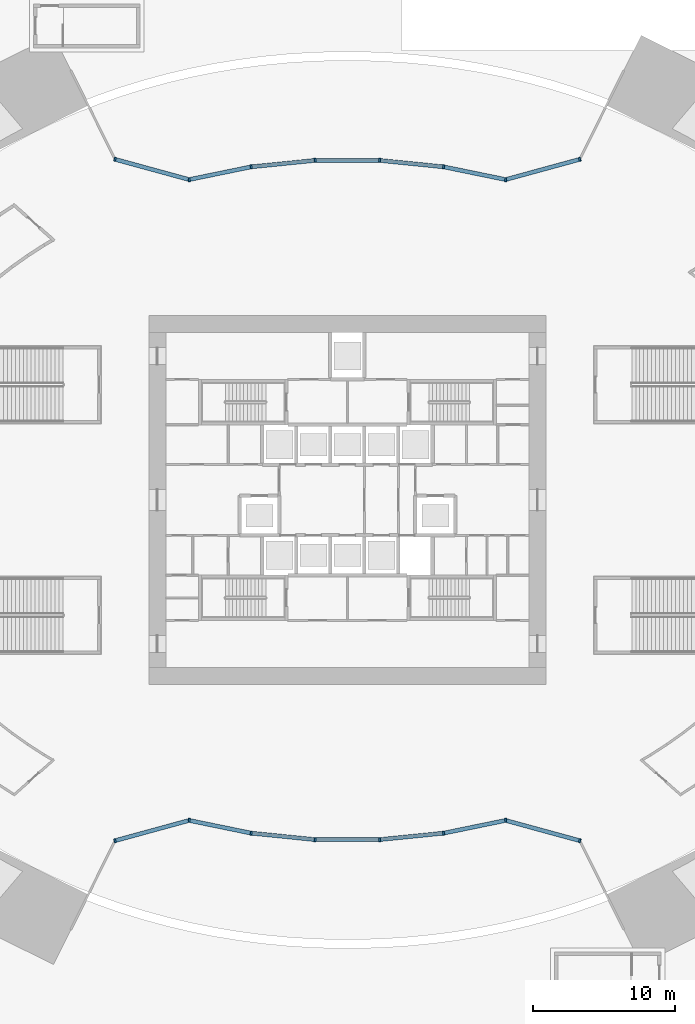
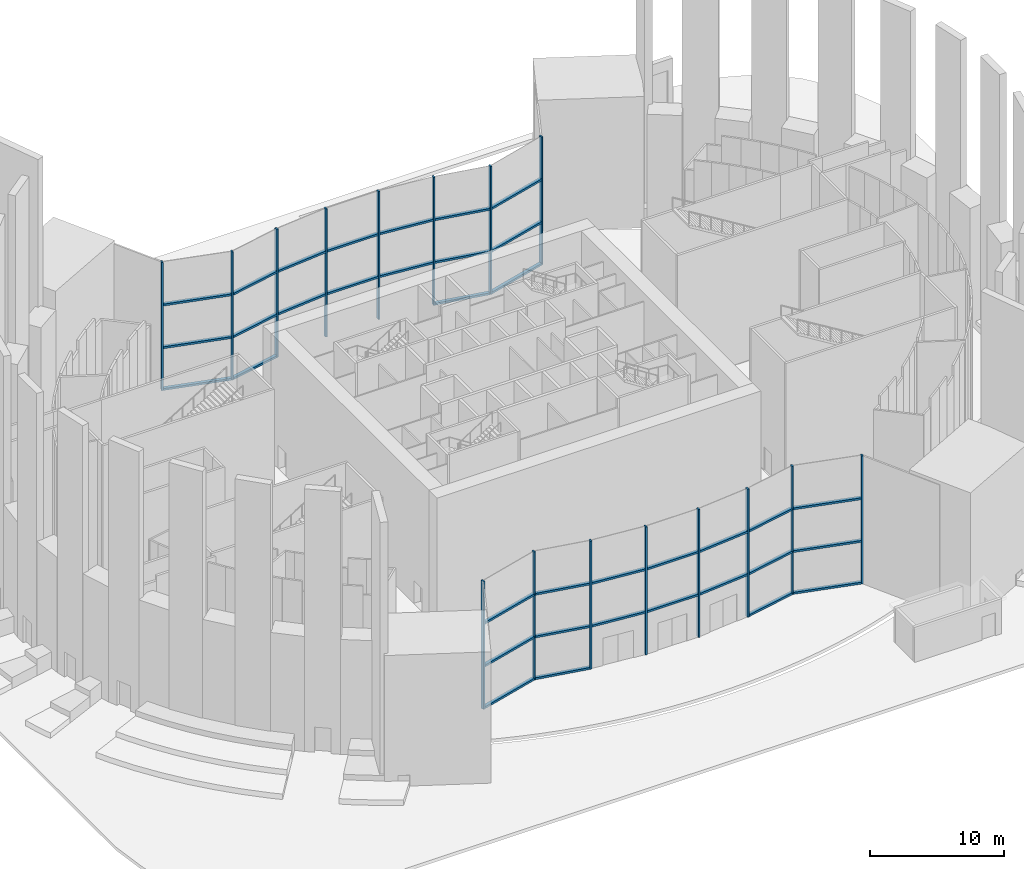
# One storey, part 2 of 25: 52 members, 2 elements without a shape of their own.
"""IFC4 building model written with IfcOpenShell, lengths in metres."""

from ifc_helpers import new_model, si_unit, direction, frame, origin, origin_2d, place, context, subcontext, project, spatial, rectangle, extrude, source, transform, mapped, material, material_profile, profile_set, type_object, element, aggregate, save


model = new_model("IFC4")

# Units and contexts
model_context = context("Model", 3, precision=1e-05, world=origin(), true_north=direction((0.0, 1.0)))
body_context = subcontext(model_context, "Body", "Model", "MODEL_VIEW")
ifc_project = project(units=[si_unit("LENGTHUNIT", "METRE"), si_unit("AREAUNIT", "SQUARE_METRE"), si_unit("VOLUMEUNIT", "CUBIC_METRE"), si_unit("PLANEANGLEUNIT", "RADIAN"), si_unit("MASSUNIT", "GRAM", prefix="KILO")], contexts=[model_context])

# Site, building, storey
site_placement = place(None, origin())
site = spatial("IfcSite", under=ifc_project, at=site_placement, CompositionType="ELEMENT")
building_placement = place(site_placement, origin())
building = spatial("IfcBuilding", under=site, at=building_placement, Name="Embergate Tower", CompositionType="ELEMENT")
storey_placement = place(building_placement, origin())
storey = spatial("IfcBuildingStorey", under=building, at=storey_placement, Name="L00", CompositionType="ELEMENT", Elevation=0.0)

# Curtain wall, members
ifc_material_1 = material(Name="Aluminium and glass", Category="aluminium")
curtain_wall_type = type_object("IfcCurtainWallType", Name="Portal infill glazing", PredefinedType="NOTDEFINED", material=ifc_material_1)
curtain_wall_1_placement = place(storey_placement, origin())
curtain_wall_1 = element("IfcCurtainWall", 1, at=curtain_wall_1_placement, inside=storey, type_object=curtain_wall_type, Name="Portal infill glazing N porch", ObjectType="PORTAL INFILL GLAZING", PredefinedType="USERDEFINED")
ifc_material_2 = material(Name="Aluminium, thermally broken", Category="aluminium")
ifc_material_profile_1 = material_profile(ifc_material_2, rectangle(XDim=0.280029296875, YDim=0.139892578125, at=origin_2d()), Name="AL 140x280")
ifc_profile_set_1 = profile_set([ifc_material_profile_1], Name="Aluminium, thermally broken")
member_type_1 = type_object("IfcMemberType", Name="Portal mullion", PredefinedType="MULLION", material=ifc_profile_set_1)
shared_shape_1 = source(origin(), body_context, "Body", "SweptSolid", [
    extrude(rectangle(XDim=0.280029296875, YDim=0.139892578125, at=origin_2d()), origin(), (0.0, 0.0, 1.0), 11.699951171875),
])
member_1_placement = place(storey_placement, frame((16.382080078125, 24.018310546875, 0.0), z_axis=(0.0, 0.0, 1.0), x_axis=(0.263692914045, -0.96460667999, 0.0)))
member_1 = element("IfcMember", 2, at=member_1_placement, type_object=member_type_1, Name="CW mullion 1", PredefinedType="MULLION", context=body_context, shape_type="MappedRepresentation", body=[
    mapped(shared_shape_1, transform((0.0, 0.0, 0.0))),
])
member_2_placement = place(storey_placement, frame((11.156005859375, 22.589599609375, 0.0), z_axis=(0.0, 0.0, 1.0), x_axis=(0.055197640519, -0.998475448111, 0.0)))
member_2 = element("IfcMember", 3, at=member_2_placement, type_object=member_type_1, Name="CW mullion 2", PredefinedType="MULLION", context=body_context, shape_type="MappedRepresentation", body=[
    mapped(shared_shape_1, transform((0.0, 0.0, 0.0))),
])
member_3_placement = place(storey_placement, frame((6.784912109375, 23.48779296875, 0.0), z_axis=(0.0, 0.0, 1.0), x_axis=(-0.15066730795, -0.988584524618, 0.0)))
member_3 = element("IfcMember", 4, at=member_3_placement, type_object=member_type_1, Name="CW mullion 3", PredefinedType="MULLION", context=body_context, shape_type="MappedRepresentation", body=[
    mapped(shared_shape_1, transform((0.0, 0.0, 0.0))),
])
member_4_placement = place(storey_placement, frame((2.277099609375, 23.94287109375, 0.0), z_axis=(0.0, 0.0, 1.0), x_axis=(-0.050160648012, -0.998741162359, 0.0)))
member_4 = element("IfcMember", 5, at=member_4_placement, type_object=member_type_1, Name="CW mullion 4", PredefinedType="MULLION", context=body_context, shape_type="MappedRepresentation", body=[
    mapped(shared_shape_1, transform((0.0, 0.0, 0.0))),
])
member_5_placement = place(storey_placement, frame((-2.277099609375, 23.94287109375, 0.0), z_axis=(0.0, 0.0, 1.0), x_axis=(0.050160648012, -0.998741162359, 0.0)))
member_5 = element("IfcMember", 6, at=member_5_placement, type_object=member_type_1, Name="CW mullion 5", PredefinedType="MULLION", context=body_context, shape_type="MappedRepresentation", body=[
    mapped(shared_shape_1, transform((0.0, 0.0, 0.0))),
])
member_6_placement = place(storey_placement, frame((-6.784912109375, 23.48779296875, 0.0), z_axis=(0.0, 0.0, 1.0), x_axis=(0.15066730795, -0.988584524618, 0.0)))
member_6 = element("IfcMember", 7, at=member_6_placement, type_object=member_type_1, Name="CW mullion 6", PredefinedType="MULLION", context=body_context, shape_type="MappedRepresentation", body=[
    mapped(shared_shape_1, transform((0.0, 0.0, 0.0))),
])
member_7_placement = place(storey_placement, frame((-11.156005859375, 22.589599609375, 0.0), z_axis=(0.0, 0.0, 1.0), x_axis=(-0.055197640519, -0.998475448111, 0.0)))
member_7 = element("IfcMember", 8, at=member_7_placement, type_object=member_type_1, Name="CW mullion 7", PredefinedType="MULLION", context=body_context, shape_type="MappedRepresentation", body=[
    mapped(shared_shape_1, transform((0.0, 0.0, 0.0))),
])
member_8_placement = place(storey_placement, frame((-16.382080078125, 24.018310546875, 0.0), z_axis=(0.0, 0.0, 1.0), x_axis=(-0.263692914045, -0.96460667999, 0.0)))
member_8 = element("IfcMember", 9, at=member_8_placement, type_object=member_type_1, Name="CW mullion 8", PredefinedType="MULLION", context=body_context, shape_type="MappedRepresentation", body=[
    mapped(shared_shape_1, transform((0.0, 0.0, 0.0))),
])

curtain_wall_2_placement = place(storey_placement, origin())
curtain_wall_2 = element("IfcCurtainWall", 10, at=curtain_wall_2_placement, inside=storey, type_object=curtain_wall_type, Name="Portal infill glazing S porch", ObjectType="PORTAL INFILL GLAZING", PredefinedType="USERDEFINED")
member_9_placement = place(storey_placement, frame((-16.382080078125, -24.018310546875, 0.0), z_axis=(0.0, 0.0, 1.0), x_axis=(-0.263692914045, 0.96460667999, 0.0)))
member_9 = element("IfcMember", 11, at=member_9_placement, type_object=member_type_1, Name="CW mullion 1", PredefinedType="MULLION", context=body_context, shape_type="MappedRepresentation", body=[
    mapped(shared_shape_1, transform((0.0, 0.0, 0.0))),
])
member_10_placement = place(storey_placement, frame((-11.156005859375, -22.589599609375, 0.0), z_axis=(0.0, 0.0, 1.0), x_axis=(-0.055197640519, 0.998475448111, 0.0)))
member_10 = element("IfcMember", 12, at=member_10_placement, type_object=member_type_1, Name="CW mullion 2", PredefinedType="MULLION", context=body_context, shape_type="MappedRepresentation", body=[
    mapped(shared_shape_1, transform((0.0, 0.0, 0.0))),
])
member_11_placement = place(storey_placement, frame((-6.784912109375, -23.48779296875, 0.0), z_axis=(0.0, 0.0, 1.0), x_axis=(0.15066730795, 0.988584524618, 0.0)))
member_11 = element("IfcMember", 13, at=member_11_placement, type_object=member_type_1, Name="CW mullion 3", PredefinedType="MULLION", context=body_context, shape_type="MappedRepresentation", body=[
    mapped(shared_shape_1, transform((0.0, 0.0, 0.0))),
])
member_12_placement = place(storey_placement, frame((-2.277099609375, -23.94287109375, 0.0), z_axis=(0.0, 0.0, 1.0), x_axis=(0.050160648012, 0.998741162359, 0.0)))
member_12 = element("IfcMember", 14, at=member_12_placement, type_object=member_type_1, Name="CW mullion 4", PredefinedType="MULLION", context=body_context, shape_type="MappedRepresentation", body=[
    mapped(shared_shape_1, transform((0.0, 0.0, 0.0))),
])
member_13_placement = place(storey_placement, frame((2.277099609375, -23.94287109375, 0.0), z_axis=(0.0, 0.0, 1.0), x_axis=(-0.050160648012, 0.998741162359, 0.0)))
member_13 = element("IfcMember", 15, at=member_13_placement, type_object=member_type_1, Name="CW mullion 5", PredefinedType="MULLION", context=body_context, shape_type="MappedRepresentation", body=[
    mapped(shared_shape_1, transform((0.0, 0.0, 0.0))),
])
member_14_placement = place(storey_placement, frame((6.784912109375, -23.48779296875, 0.0), z_axis=(0.0, 0.0, 1.0), x_axis=(-0.15066730795, 0.988584524618, 0.0)))
member_14 = element("IfcMember", 16, at=member_14_placement, type_object=member_type_1, Name="CW mullion 6", PredefinedType="MULLION", context=body_context, shape_type="MappedRepresentation", body=[
    mapped(shared_shape_1, transform((0.0, 0.0, 0.0))),
])
member_15_placement = place(storey_placement, frame((11.156005859375, -22.589599609375, 0.0), z_axis=(0.0, 0.0, 1.0), x_axis=(0.055197640519, 0.998475448111, 0.0)))
member_15 = element("IfcMember", 17, at=member_15_placement, type_object=member_type_1, Name="CW mullion 7", PredefinedType="MULLION", context=body_context, shape_type="MappedRepresentation", body=[
    mapped(shared_shape_1, transform((0.0, 0.0, 0.0))),
])
member_16_placement = place(storey_placement, frame((16.382080078125, -24.018310546875, 0.0), z_axis=(0.0, 0.0, 1.0), x_axis=(0.263692914045, 0.96460667999, 0.0)))
member_16 = element("IfcMember", 18, at=member_16_placement, type_object=member_type_1, Name="CW mullion 8", PredefinedType="MULLION", context=body_context, shape_type="MappedRepresentation", body=[
    mapped(shared_shape_1, transform((0.0, 0.0, 0.0))),
])

# Member
ifc_material_profile_2 = material_profile(ifc_material_2, rectangle(XDim=0.280029296875, YDim=0.179931640625, at=origin_2d()), Name="AL 180x280")
ifc_profile_set_2 = profile_set([ifc_material_profile_2], Name="Aluminium, thermally broken")
member_type_2 = type_object("IfcMemberType", Name="Portal transom", PredefinedType="USERDEFINED", material=ifc_profile_set_2)
shared_shape_2 = source(origin(), body_context, "Body", "SweptSolid", [
    extrude(rectangle(XDim=0.280029296875, YDim=0.179931640625, at=origin_2d()), origin(), (0.0, 0.0, 1.0), 5.27783203125),
])
member_17_placement = place(storey_placement, frame((16.314697265625, 23.999755859375, 0.090087890625), z_axis=(-0.964613147737, -0.263669253446, 0.0), x_axis=(0.263669253446, -0.964613147737, 0.0)))
member_17 = element("IfcMember", 19, at=member_17_placement, type_object=member_type_2, Name="CW transom 1.1", ObjectType="TRANSOM", PredefinedType="USERDEFINED", context=body_context, shape_type="MappedRepresentation", body=[
    mapped(shared_shape_2, transform((0.0, 0.0, 0.0))),
])

member_18_placement = place(storey_placement, frame((16.314697265625, 23.999755859375, 3.89990234375), z_axis=(-0.964613147737, -0.263669253446, 0.0), x_axis=(0.263669253446, -0.964613147737, 0.0)))
member_18 = element("IfcMember", 20, at=member_18_placement, type_object=member_type_2, Name="CW transom 1.2", ObjectType="TRANSOM", PredefinedType="USERDEFINED", context=body_context, shape_type="MappedRepresentation", body=[
    mapped(shared_shape_2, transform((0.0, 0.0, 0.0))),
])

member_19_placement = place(storey_placement, frame((16.314697265625, 23.999755859375, 7.800048828125), z_axis=(-0.964613147737, -0.263669253446, 0.0), x_axis=(0.263669253446, -0.964613147737, 0.0)))
member_19 = element("IfcMember", 21, at=member_19_placement, type_object=member_type_2, Name="CW transom 1.3", ObjectType="TRANSOM", PredefinedType="USERDEFINED", context=body_context, shape_type="MappedRepresentation", body=[
    mapped(shared_shape_2, transform((0.0, 0.0, 0.0))),
])

member_20_placement = place(storey_placement, frame((-11.2236328125, 22.608154296875, 0.090087890625), z_axis=(-0.964613147737, 0.263669253446, 0.0), x_axis=(-0.263669253446, -0.964613147737, 0.0)))
member_20 = element("IfcMember", 22, at=member_20_placement, type_object=member_type_2, Name="CW transom 7.1", ObjectType="TRANSOM", PredefinedType="USERDEFINED", context=body_context, shape_type="MappedRepresentation", body=[
    mapped(shared_shape_2, transform((0.0, 0.0, 0.0))),
])

member_21_placement = place(storey_placement, frame((-11.2236328125, 22.608154296875, 3.89990234375), z_axis=(-0.964613147737, 0.263669253446, 0.0), x_axis=(-0.263669253446, -0.964613147737, 0.0)))
member_21 = element("IfcMember", 23, at=member_21_placement, type_object=member_type_2, Name="CW transom 7.2", ObjectType="TRANSOM", PredefinedType="USERDEFINED", context=body_context, shape_type="MappedRepresentation", body=[
    mapped(shared_shape_2, transform((0.0, 0.0, 0.0))),
])

member_22_placement = place(storey_placement, frame((-11.2236328125, 22.608154296875, 7.800048828125), z_axis=(-0.964613147737, 0.263669253446, 0.0), x_axis=(-0.263669253446, -0.964613147737, 0.0)))
member_22 = element("IfcMember", 24, at=member_22_placement, type_object=member_type_2, Name="CW transom 7.3", ObjectType="TRANSOM", PredefinedType="USERDEFINED", context=body_context, shape_type="MappedRepresentation", body=[
    mapped(shared_shape_2, transform((0.0, 0.0, 0.0))),
])

member_23_placement = place(storey_placement, frame((-16.314697265625, -23.999755859375, 0.090087890625), z_axis=(0.964613147737, 0.263669253446, 0.0), x_axis=(-0.263669253446, 0.964613147737, 0.0)))
member_23 = element("IfcMember", 25, at=member_23_placement, type_object=member_type_2, Name="CW transom 1.1", ObjectType="TRANSOM", PredefinedType="USERDEFINED", context=body_context, shape_type="MappedRepresentation", body=[
    mapped(shared_shape_2, transform((0.0, 0.0, 0.0))),
])

member_24_placement = place(storey_placement, frame((-16.314697265625, -23.999755859375, 3.89990234375), z_axis=(0.964613147737, 0.263669253446, 0.0), x_axis=(-0.263669253446, 0.964613147737, 0.0)))
member_24 = element("IfcMember", 26, at=member_24_placement, type_object=member_type_2, Name="CW transom 1.2", ObjectType="TRANSOM", PredefinedType="USERDEFINED", context=body_context, shape_type="MappedRepresentation", body=[
    mapped(shared_shape_2, transform((0.0, 0.0, 0.0))),
])

member_25_placement = place(storey_placement, frame((-16.314697265625, -23.999755859375, 7.800048828125), z_axis=(0.964613147737, 0.263669253446, 0.0), x_axis=(-0.263669253446, 0.964613147737, 0.0)))
member_25 = element("IfcMember", 27, at=member_25_placement, type_object=member_type_2, Name="CW transom 1.3", ObjectType="TRANSOM", PredefinedType="USERDEFINED", context=body_context, shape_type="MappedRepresentation", body=[
    mapped(shared_shape_2, transform((0.0, 0.0, 0.0))),
])

member_26_placement = place(storey_placement, frame((11.2236328125, -22.608154296875, 0.090087890625), z_axis=(0.964613147737, -0.263669253446, 0.0), x_axis=(0.263669253446, 0.964613147737, 0.0)))
member_26 = element("IfcMember", 28, at=member_26_placement, type_object=member_type_2, Name="CW transom 7.1", ObjectType="TRANSOM", PredefinedType="USERDEFINED", context=body_context, shape_type="MappedRepresentation", body=[
    mapped(shared_shape_2, transform((0.0, 0.0, 0.0))),
])

member_27_placement = place(storey_placement, frame((11.2236328125, -22.608154296875, 3.89990234375), z_axis=(0.964613147737, -0.263669253446, 0.0), x_axis=(0.263669253446, 0.964613147737, 0.0)))
member_27 = element("IfcMember", 29, at=member_27_placement, type_object=member_type_2, Name="CW transom 7.2", ObjectType="TRANSOM", PredefinedType="USERDEFINED", context=body_context, shape_type="MappedRepresentation", body=[
    mapped(shared_shape_2, transform((0.0, 0.0, 0.0))),
])

member_28_placement = place(storey_placement, frame((11.2236328125, -22.608154296875, 7.800048828125), z_axis=(0.964613147737, -0.263669253446, 0.0), x_axis=(0.263669253446, 0.964613147737, 0.0)))
member_28 = element("IfcMember", 30, at=member_28_placement, type_object=member_type_2, Name="CW transom 7.3", ObjectType="TRANSOM", PredefinedType="USERDEFINED", context=body_context, shape_type="MappedRepresentation", body=[
    mapped(shared_shape_2, transform((0.0, 0.0, 0.0))),
])

shared_shape_3 = source(origin(), body_context, "Body", "SweptSolid", [
    extrude(rectangle(XDim=0.280029296875, YDim=0.179931640625, at=origin_2d()), origin(), (0.0, 0.0, 1.0), 4.322265625),
])
member_29_placement = place(storey_placement, frame((11.08740234375, 22.603759765625, 0.090087890625), z_axis=(-0.97953964737, 0.201251283795, 0.0), x_axis=(-0.201251283795, -0.97953964737, 0.0)))
member_29 = element("IfcMember", 31, at=member_29_placement, type_object=member_type_2, Name="CW transom 2.1", ObjectType="TRANSOM", PredefinedType="USERDEFINED", context=body_context, shape_type="MappedRepresentation", body=[
    mapped(shared_shape_3, transform((0.0, 0.0, 0.0))),
])

member_30_placement = place(storey_placement, frame((11.08740234375, 22.603759765625, 3.89990234375), z_axis=(-0.97953964737, 0.201251283795, 0.0), x_axis=(-0.201251283795, -0.97953964737, 0.0)))
member_30 = element("IfcMember", 32, at=member_30_placement, type_object=member_type_2, Name="CW transom 2.2", ObjectType="TRANSOM", PredefinedType="USERDEFINED", context=body_context, shape_type="MappedRepresentation", body=[
    mapped(shared_shape_3, transform((0.0, 0.0, 0.0))),
])

member_31_placement = place(storey_placement, frame((11.08740234375, 22.603759765625, 7.800048828125), z_axis=(-0.97953964737, 0.201251283795, 0.0), x_axis=(-0.201251283795, -0.97953964737, 0.0)))
member_31 = element("IfcMember", 33, at=member_31_placement, type_object=member_type_2, Name="CW transom 2.3", ObjectType="TRANSOM", PredefinedType="USERDEFINED", context=body_context, shape_type="MappedRepresentation", body=[
    mapped(shared_shape_3, transform((0.0, 0.0, 0.0))),
])

member_32_placement = place(storey_placement, frame((-6.853515625, 23.4736328125, 0.090087890625), z_axis=(-0.97953964737, -0.201251283795, 0.0), x_axis=(0.201251283795, -0.97953964737, 0.0)))
member_32 = element("IfcMember", 34, at=member_32_placement, type_object=member_type_2, Name="CW transom 6.1", ObjectType="TRANSOM", PredefinedType="USERDEFINED", context=body_context, shape_type="MappedRepresentation", body=[
    mapped(shared_shape_3, transform((0.0, 0.0, 0.0))),
])

member_33_placement = place(storey_placement, frame((-6.853515625, 23.4736328125, 3.89990234375), z_axis=(-0.97953964737, -0.201251283795, 0.0), x_axis=(0.201251283795, -0.97953964737, 0.0)))
member_33 = element("IfcMember", 35, at=member_33_placement, type_object=member_type_2, Name="CW transom 6.2", ObjectType="TRANSOM", PredefinedType="USERDEFINED", context=body_context, shape_type="MappedRepresentation", body=[
    mapped(shared_shape_3, transform((0.0, 0.0, 0.0))),
])

member_34_placement = place(storey_placement, frame((-6.853515625, 23.4736328125, 7.800048828125), z_axis=(-0.97953964737, -0.201251283795, 0.0), x_axis=(0.201251283795, -0.97953964737, 0.0)))
member_34 = element("IfcMember", 36, at=member_34_placement, type_object=member_type_2, Name="CW transom 6.3", ObjectType="TRANSOM", PredefinedType="USERDEFINED", context=body_context, shape_type="MappedRepresentation", body=[
    mapped(shared_shape_3, transform((0.0, 0.0, 0.0))),
])

member_35_placement = place(storey_placement, frame((-11.08740234375, -22.603759765625, 0.090087890625), z_axis=(0.97953964737, -0.201251283795, 0.0), x_axis=(0.201251283795, 0.97953964737, 0.0)))
member_35 = element("IfcMember", 37, at=member_35_placement, type_object=member_type_2, Name="CW transom 2.1", ObjectType="TRANSOM", PredefinedType="USERDEFINED", context=body_context, shape_type="MappedRepresentation", body=[
    mapped(shared_shape_3, transform((0.0, 0.0, 0.0))),
])

member_36_placement = place(storey_placement, frame((-11.08740234375, -22.603759765625, 3.89990234375), z_axis=(0.97953964737, -0.201251283795, 0.0), x_axis=(0.201251283795, 0.97953964737, 0.0)))
member_36 = element("IfcMember", 38, at=member_36_placement, type_object=member_type_2, Name="CW transom 2.2", ObjectType="TRANSOM", PredefinedType="USERDEFINED", context=body_context, shape_type="MappedRepresentation", body=[
    mapped(shared_shape_3, transform((0.0, 0.0, 0.0))),
])

member_37_placement = place(storey_placement, frame((-11.08740234375, -22.603759765625, 7.800048828125), z_axis=(0.97953964737, -0.201251283795, 0.0), x_axis=(0.201251283795, 0.97953964737, 0.0)))
member_37 = element("IfcMember", 39, at=member_37_placement, type_object=member_type_2, Name="CW transom 2.3", ObjectType="TRANSOM", PredefinedType="USERDEFINED", context=body_context, shape_type="MappedRepresentation", body=[
    mapped(shared_shape_3, transform((0.0, 0.0, 0.0))),
])

member_38_placement = place(storey_placement, frame((6.853515625, -23.4736328125, 0.090087890625), z_axis=(0.97953964737, 0.201251283795, 0.0), x_axis=(-0.201251283795, 0.97953964737, 0.0)))
member_38 = element("IfcMember", 40, at=member_38_placement, type_object=member_type_2, Name="CW transom 6.1", ObjectType="TRANSOM", PredefinedType="USERDEFINED", context=body_context, shape_type="MappedRepresentation", body=[
    mapped(shared_shape_3, transform((0.0, 0.0, 0.0))),
])

member_39_placement = place(storey_placement, frame((6.853515625, -23.4736328125, 3.89990234375), z_axis=(0.97953964737, 0.201251283795, 0.0), x_axis=(-0.201251283795, 0.97953964737, 0.0)))
member_39 = element("IfcMember", 41, at=member_39_placement, type_object=member_type_2, Name="CW transom 6.2", ObjectType="TRANSOM", PredefinedType="USERDEFINED", context=body_context, shape_type="MappedRepresentation", body=[
    mapped(shared_shape_3, transform((0.0, 0.0, 0.0))),
])

member_40_placement = place(storey_placement, frame((6.853515625, -23.4736328125, 7.800048828125), z_axis=(0.97953964737, 0.201251283795, 0.0), x_axis=(-0.201251283795, 0.97953964737, 0.0)))
member_40 = element("IfcMember", 42, at=member_40_placement, type_object=member_type_2, Name="CW transom 6.3", ObjectType="TRANSOM", PredefinedType="USERDEFINED", context=body_context, shape_type="MappedRepresentation", body=[
    mapped(shared_shape_3, transform((0.0, 0.0, 0.0))),
])

shared_shape_4 = source(origin(), body_context, "Body", "SweptSolid", [
    extrude(rectangle(XDim=0.280029296875, YDim=0.179931640625, at=origin_2d()), origin(), (0.0, 0.0, 1.0), 4.390869140625),
])
member_41_placement = place(storey_placement, frame((6.71533203125, 23.49462890625, 3.89990234375), z_axis=(-0.994939828097, 0.100472575689, 0.0), x_axis=(-0.100472575689, -0.994939828097, 0.0)))
member_41 = element("IfcMember", 43, at=member_41_placement, type_object=member_type_2, Name="CW transom 3.2", ObjectType="TRANSOM", PredefinedType="USERDEFINED", context=body_context, shape_type="MappedRepresentation", body=[
    mapped(shared_shape_4, transform((0.0, 0.0, 0.0))),
])

member_42_placement = place(storey_placement, frame((6.71533203125, 23.49462890625, 7.800048828125), z_axis=(-0.994939828097, 0.100472575689, 0.0), x_axis=(-0.100472575689, -0.994939828097, 0.0)))
member_42 = element("IfcMember", 44, at=member_42_placement, type_object=member_type_2, Name="CW transom 3.3", ObjectType="TRANSOM", PredefinedType="USERDEFINED", context=body_context, shape_type="MappedRepresentation", body=[
    mapped(shared_shape_4, transform((0.0, 0.0, 0.0))),
])

member_43_placement = place(storey_placement, frame((-2.3466796875, 23.935791015625, 3.89990234375), z_axis=(-0.994939828097, -0.100472575689, 0.0), x_axis=(0.100472575689, -0.994939828097, 0.0)))
member_43 = element("IfcMember", 45, at=member_43_placement, type_object=member_type_2, Name="CW transom 5.2", ObjectType="TRANSOM", PredefinedType="USERDEFINED", context=body_context, shape_type="MappedRepresentation", body=[
    mapped(shared_shape_4, transform((0.0, 0.0, 0.0))),
])

member_44_placement = place(storey_placement, frame((-2.3466796875, 23.935791015625, 7.800048828125), z_axis=(-0.994939828097, -0.100472575689, 0.0), x_axis=(0.100472575689, -0.994939828097, 0.0)))
member_44 = element("IfcMember", 46, at=member_44_placement, type_object=member_type_2, Name="CW transom 5.3", ObjectType="TRANSOM", PredefinedType="USERDEFINED", context=body_context, shape_type="MappedRepresentation", body=[
    mapped(shared_shape_4, transform((0.0, 0.0, 0.0))),
])

member_45_placement = place(storey_placement, frame((-6.71533203125, -23.49462890625, 3.89990234375), z_axis=(0.994939828097, -0.100472575689, 0.0), x_axis=(0.100472575689, 0.994939828097, 0.0)))
member_45 = element("IfcMember", 47, at=member_45_placement, type_object=member_type_2, Name="CW transom 3.2", ObjectType="TRANSOM", PredefinedType="USERDEFINED", context=body_context, shape_type="MappedRepresentation", body=[
    mapped(shared_shape_4, transform((0.0, 0.0, 0.0))),
])

member_46_placement = place(storey_placement, frame((-6.71533203125, -23.49462890625, 7.800048828125), z_axis=(0.994939828097, -0.100472575689, 0.0), x_axis=(0.100472575689, 0.994939828097, 0.0)))
member_46 = element("IfcMember", 48, at=member_46_placement, type_object=member_type_2, Name="CW transom 3.3", ObjectType="TRANSOM", PredefinedType="USERDEFINED", context=body_context, shape_type="MappedRepresentation", body=[
    mapped(shared_shape_4, transform((0.0, 0.0, 0.0))),
])

member_47_placement = place(storey_placement, frame((2.3466796875, -23.935791015625, 3.89990234375), z_axis=(0.994939828097, 0.100472575689, 0.0), x_axis=(-0.100472575689, 0.994939828097, 0.0)))
member_47 = element("IfcMember", 49, at=member_47_placement, type_object=member_type_2, Name="CW transom 5.2", ObjectType="TRANSOM", PredefinedType="USERDEFINED", context=body_context, shape_type="MappedRepresentation", body=[
    mapped(shared_shape_4, transform((0.0, 0.0, 0.0))),
])

member_48_placement = place(storey_placement, frame((2.3466796875, -23.935791015625, 7.800048828125), z_axis=(0.994939828097, 0.100472575689, 0.0), x_axis=(-0.100472575689, 0.994939828097, 0.0)))
member_48 = element("IfcMember", 50, at=member_48_placement, type_object=member_type_2, Name="CW transom 5.3", ObjectType="TRANSOM", PredefinedType="USERDEFINED", context=body_context, shape_type="MappedRepresentation", body=[
    mapped(shared_shape_4, transform((0.0, 0.0, 0.0))),
])

shared_shape_5 = source(origin(), body_context, "Body", "SweptSolid", [
    extrude(rectangle(XDim=0.280029296875, YDim=0.179931640625, at=origin_2d()), origin(), (0.0, 0.0, 1.0), 4.4140625),
])
member_49_placement = place(storey_placement, frame((2.20703125, 23.94287109375, 3.89990234375), z_axis=(-1.0, 0.0, 0.0), x_axis=(0.0, -1.0, 0.0)))
member_49 = element("IfcMember", 51, at=member_49_placement, type_object=member_type_2, Name="CW transom 4.2", ObjectType="TRANSOM", PredefinedType="USERDEFINED", context=body_context, shape_type="MappedRepresentation", body=[
    mapped(shared_shape_5, transform((0.0, 0.0, 0.0))),
])

member_50_placement = place(storey_placement, frame((2.20703125, 23.94287109375, 7.800048828125), z_axis=(-1.0, 0.0, 0.0), x_axis=(0.0, -1.0, 0.0)))
member_50 = element("IfcMember", 52, at=member_50_placement, type_object=member_type_2, Name="CW transom 4.3", ObjectType="TRANSOM", PredefinedType="USERDEFINED", context=body_context, shape_type="MappedRepresentation", body=[
    mapped(shared_shape_5, transform((0.0, 0.0, 0.0))),
])

aggregate(curtain_wall_1, [member_1, member_2, member_3, member_4, member_5, member_6, member_7, member_8, member_17, member_18, member_19, member_29, member_30, member_31, member_41, member_42, member_49, member_50, member_43, member_44, member_32, member_33, member_34, member_20, member_21, member_22])

member_51_placement = place(storey_placement, frame((-2.20703125, -23.94287109375, 3.89990234375), z_axis=(1.0, 0.0, 0.0), x_axis=(0.0, 1.0, 0.0)))
member_51 = element("IfcMember", 53, at=member_51_placement, type_object=member_type_2, Name="CW transom 4.2", ObjectType="TRANSOM", PredefinedType="USERDEFINED", context=body_context, shape_type="MappedRepresentation", body=[
    mapped(shared_shape_5, transform((0.0, 0.0, 0.0))),
])

member_52_placement = place(storey_placement, frame((-2.20703125, -23.94287109375, 7.800048828125), z_axis=(1.0, 0.0, 0.0), x_axis=(0.0, 1.0, 0.0)))
member_52 = element("IfcMember", 54, at=member_52_placement, type_object=member_type_2, Name="CW transom 4.3", ObjectType="TRANSOM", PredefinedType="USERDEFINED", context=body_context, shape_type="MappedRepresentation", body=[
    mapped(shared_shape_5, transform((0.0, 0.0, 0.0))),
])

aggregate(curtain_wall_2, [member_9, member_10, member_11, member_12, member_13, member_14, member_15, member_16, member_23, member_24, member_25, member_35, member_36, member_37, member_45, member_46, member_51, member_52, member_47, member_48, member_38, member_39, member_40, member_26, member_27, member_28])

save(model, "model.ifc")
